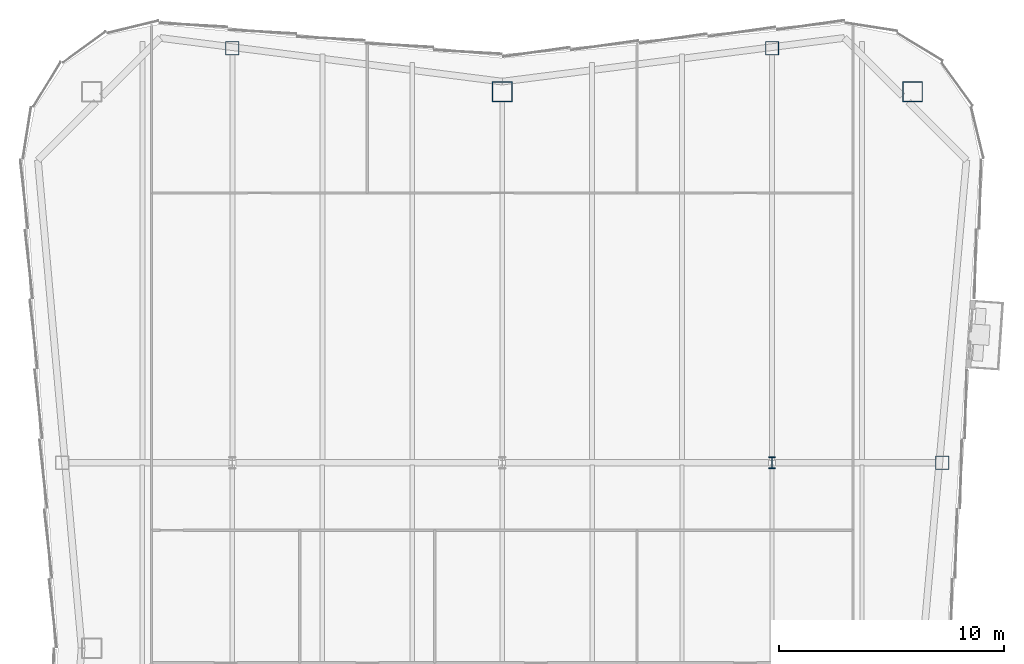
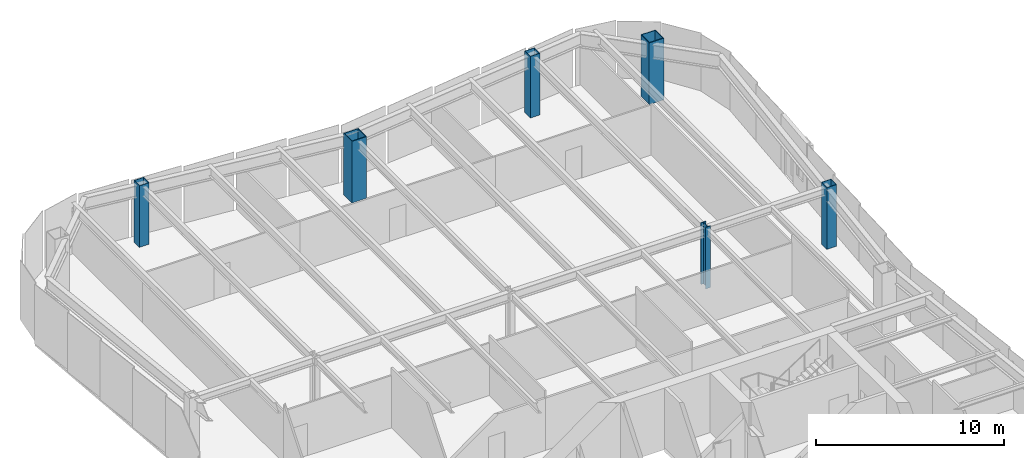
# One storey, part 2 of 10: 6 columns.
"""IFC4 building model written with IfcOpenShell, lengths in metres."""

from ifc_helpers import new_model, si_unit, direction, frame, origin, origin_2d, place, context, subcontext, project, spatial, hollow_rectangle, i_section, extrude, material, material_profile, profile_set, type_object, element, save


model = new_model("IFC4")

# Units and contexts
model_context = context("Model", 3, precision=1e-05, world=origin(), true_north=direction((0.0, 1.0)))
body_context = subcontext(model_context, "Body", "Model", "MODEL_VIEW")
ifc_project = project(units=[si_unit("LENGTHUNIT", "METRE"), si_unit("AREAUNIT", "SQUARE_METRE"), si_unit("VOLUMEUNIT", "CUBIC_METRE"), si_unit("PLANEANGLEUNIT", "RADIAN"), si_unit("MASSUNIT", "GRAM", prefix="KILO")], contexts=[model_context])

# Site, building, storey
site_placement = place(None, origin())
site = spatial("IfcSite", under=ifc_project, at=site_placement, CompositionType="ELEMENT")
building_placement = place(site_placement, origin())
building = spatial("IfcBuilding", under=site, at=building_placement, Name="Verdant Reach Tower", CompositionType="ELEMENT")
storey_placement = place(building_placement, frame((0.0, 0.0, 322.0)))
storey = spatial("IfcBuildingStorey", under=building, at=storey_placement, Name="L74", CompositionType="ELEMENT", Elevation=322.0)

# Columns
ifc_material = material(Name="Steel S460", Category="steel")
ifc_material_profile_1 = material_profile(ifc_material, i_section(OverallWidth=0.305908203125, OverallDepth=0.52392578125, WebThickness=0.012451171875, FlangeThickness=0.0400390625, FilletRadius=0.027099609375, at=origin_2d()), Name="HEM 500")
ifc_profile_set_1 = profile_set([ifc_material_profile_1], Name="Steel S460")
column_type_1 = type_object("IfcColumnType", Name="ST-COL-HEM500", PredefinedType="COLUMN", material=ifc_profile_set_1)
column_placement = place(storey_placement, frame((12.0, 49.5, 0.0), z_axis=(0.0, 0.0, 1.0), x_axis=(1.0, 0.0, 0.0)))
element("IfcColumn", 1, at=column_placement, inside=storey, type_object=column_type_1, Name="Interior column 3, L74", PredefinedType="COLUMN", context=body_context, shape_type="SweptSolid", body=[
    extrude(i_section(OverallWidth=0.305908203125, OverallDepth=0.52392578125, WebThickness=0.012451171875, FlangeThickness=0.0400390625, FilletRadius=0.027099609375, at=origin_2d()), origin(), (0.0, 0.0, 1.0), 4.0),
])
ifc_material_profile_2 = material_profile(ifc_material, hollow_rectangle(XDim=0.60009765625, YDim=0.60009765625, WallThickness=0.02490234375, at=origin_2d()), Name="WB 600x600x25")
ifc_profile_set_2 = profile_set([ifc_material_profile_2], Name="Steel S460")
column_type_2 = type_object("IfcColumnType", Name="ST-COL-WB600x600x25", PredefinedType="COLUMN", material=ifc_profile_set_2)
for number, where, z_axis, x_axis, name in (
    (2, (-12.0, 67.930419921875, 0.0), (0.0, 0.0, 1.0), (1.0, 0.0, 0.0), "Perimeter column north 1, L74"),
    (3, (12.0, 67.930419921875, 0.0), (0.0, 0.0, 1.0), (1.0, 0.0, 0.0), "Perimeter column north 2, L74"),
    (4, (19.569091796875, 49.5, 0.0), (0.0, 0.0, 1.0), (1.0, 0.0, 0.0), "Perimeter column east 2, L74"),
):
    element("IfcColumn", number, at=place(storey_placement, frame(where, z_axis=z_axis, x_axis=x_axis)), inside=storey, type_object=column_type_2, Name=name, PredefinedType="COLUMN", context=body_context, shape_type="SweptSolid", body=[
        extrude(hollow_rectangle(XDim=0.60009765625, YDim=0.60009765625, WallThickness=0.02490234375, at=origin_2d()), origin(), (0.0, 0.0, 1.0), 4.0),
    ])
ifc_material_profile_3 = material_profile(ifc_material, hollow_rectangle(XDim=0.89990234375, YDim=0.89990234375, WallThickness=0.0400390625, at=origin_2d()), Name="WB 900x900x40")
ifc_profile_set_3 = profile_set([ifc_material_profile_3], Name="Steel S460")
column_type_3 = type_object("IfcColumnType", Name="ST-COL-WB900x900x40", PredefinedType="COLUMN", material=ifc_profile_set_3)
for number, where, z_axis, x_axis, name in (
    (5, (0.0, 66.0, 0.0), (0.0, 0.0, 1.0), (1.0, 0.0, 0.0), "Mega column north, L74"),
    (6, (18.25, 66.0, 0.0), (0.0, 0.0, 1.0), (1.0, 0.0, 0.0), "Mega column north-east, L74"),
):
    element("IfcColumn", number, at=place(storey_placement, frame(where, z_axis=z_axis, x_axis=x_axis)), inside=storey, type_object=column_type_3, Name=name, PredefinedType="COLUMN", context=body_context, shape_type="SweptSolid", body=[
        extrude(hollow_rectangle(XDim=0.89990234375, YDim=0.89990234375, WallThickness=0.0400390625, at=origin_2d()), origin(), (0.0, 0.0, 1.0), 4.0),
    ])

save(model, "model.ifc")
